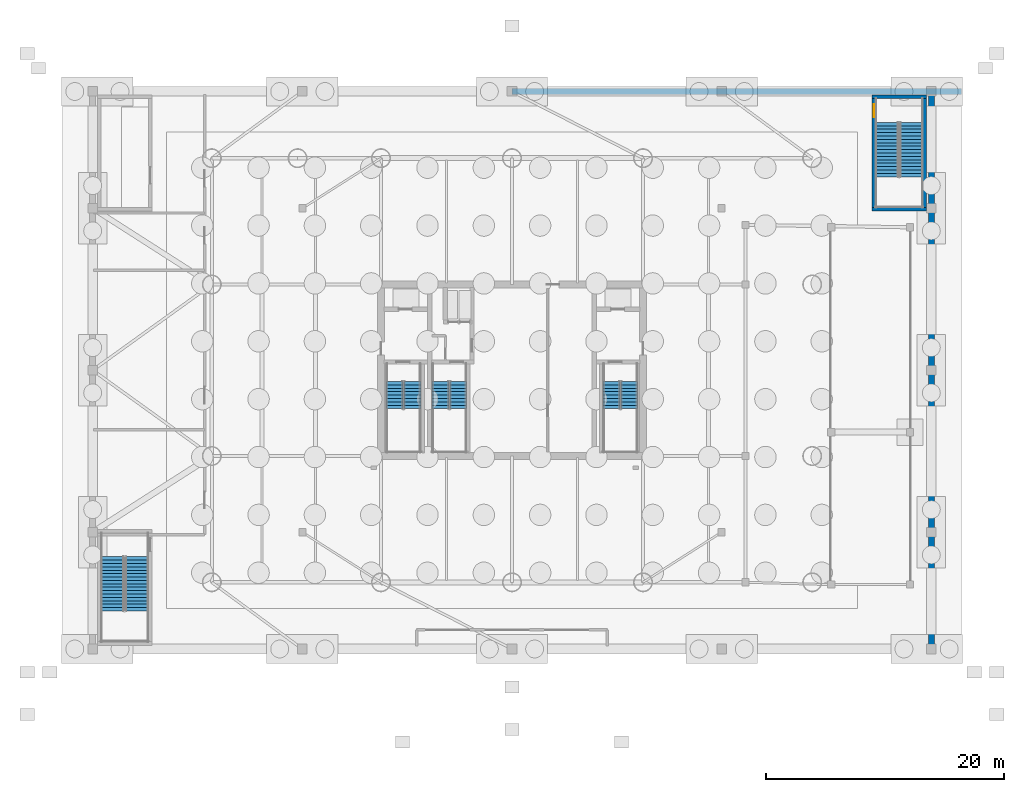
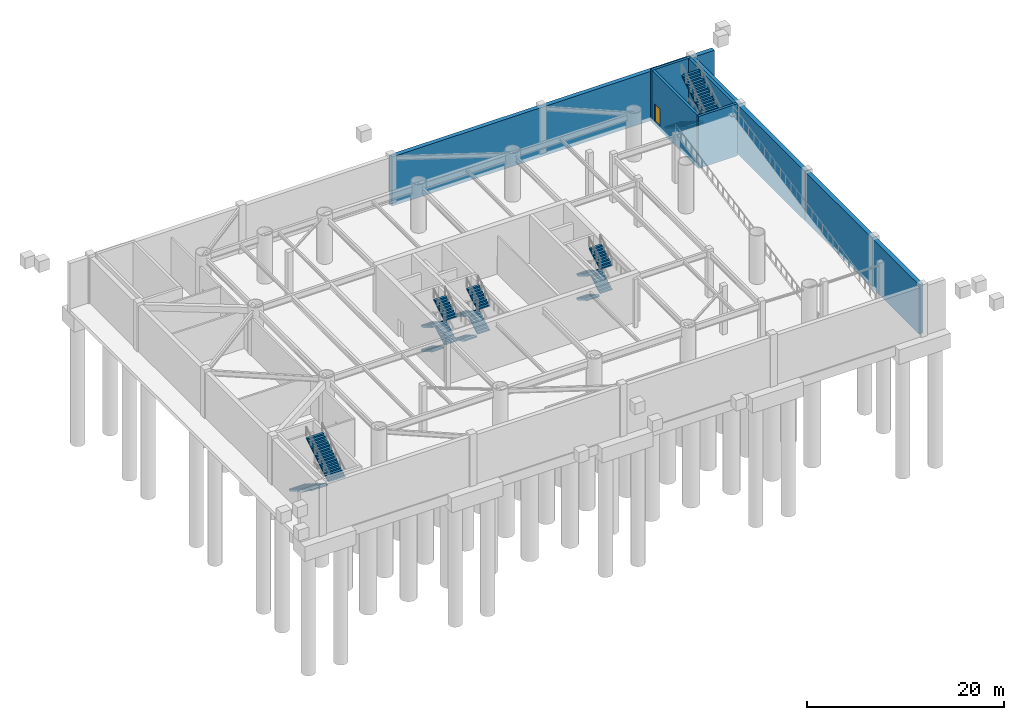
# One storey, part 6 of 12: 16 stair flights, 7 walls, 1 door, 1 opening, 5 elements without a shape of their own.
"""IFC4 building model written with IfcOpenShell, lengths in metres."""

from ifc_helpers import new_model, si_unit, direction, frame, frame_2d, origin, place, context, subcontext, project, spatial, polyline, rectangle, outline, extrude, material, layer, layer_set, type_object, element, fill, aggregate, save


model = new_model("IFC4")

# Units and contexts
model_context = context("Model", 3, precision=1e-05, world=origin(), true_north=direction((0.0, 1.0)))
body_context = subcontext(model_context, "Body", "Model", "MODEL_VIEW")
ifc_project = project(units=[si_unit("LENGTHUNIT", "METRE"), si_unit("AREAUNIT", "SQUARE_METRE"), si_unit("VOLUMEUNIT", "CUBIC_METRE"), si_unit("PLANEANGLEUNIT", "RADIAN"), si_unit("MASSUNIT", "GRAM", prefix="KILO")], contexts=[model_context])

# Site, building, storey
site_placement = place(None, origin())
site = spatial("IfcSite", under=ifc_project, at=site_placement, CompositionType="ELEMENT")
building_placement = place(site_placement, origin())
building = spatial("IfcBuilding", under=site, at=building_placement, Name="Bramvorn Convention Spire", CompositionType="ELEMENT")
storey_placement = place(building_placement, frame((0.0, 0.0, -6.0)))
storey = spatial("IfcBuildingStorey", under=building, at=storey_placement, Name="B1", CompositionType="ELEMENT", Elevation=-6.0)

# Walls
ifc_material_1 = material(Name="Concrete C60/70", Category="concrete")
ifc_layer_1 = layer(ifc_material_1, 0.5)
ifc_layer_set_1 = layer_set([ifc_layer_1], Name="Concrete C60/70 - WL-BSMT-RET-500")
wall_type_1 = type_object("IfcWallType", Name="WL-BSMT-RET-500", PredefinedType="USERDEFINED", material=ifc_layer_set_1)
wall_1_placement = place(storey_placement, frame((38.0, 49.39990234375, -0.449951171875), z_axis=(0.0, 0.0, 1.0), x_axis=(1.0, 0.0, 0.0)))
element("IfcWall", 1, at=wall_1_placement, inside=storey, type_object=wall_type_1, Name="B1 basement retaining wall N2", ObjectType="RETAINING WALL", PredefinedType="USERDEFINED", context=body_context, shape_type="SweptSolid", body=[
    extrude(rectangle(XDim=37.75, YDim=0.5, at=frame_2d((18.875, 0.0))), origin(), (0.0, 0.0, 1.0), 6.099853515625),
])
for number, where, z_axis, x_axis, name in (
    (2, (73.199951171875, 2.85009765625, -0.449951171875), (0.0, 0.0, 1.0), (0.0, 1.0, 0.0), "B1 basement retaining wall E1"),
    (3, (73.199951171875, 26.0, -0.449951171875), (0.0, 0.0, 1.0), (0.0, 1.0, 0.0), "B1 basement retaining wall E2"),
):
    element("IfcWall", number, at=place(storey_placement, frame(where, z_axis=z_axis, x_axis=x_axis)), inside=storey, type_object=wall_type_1, Name=name, ObjectType="RETAINING WALL", PredefinedType="USERDEFINED", context=body_context, shape_type="SweptSolid", body=[
        extrude(rectangle(XDim=23.14990234375, YDim=0.5, at=frame_2d((11.574951171875, 0.0))), origin(), (0.0, 0.0, 1.0), 6.099853515625),
    ])
ifc_material_2 = material(Name="Concrete C50/60", Category="concrete")
ifc_layer_2 = layer(ifc_material_2, 0.300048828125)
ifc_layer_set_2 = layer_set([ifc_layer_2], Name="Concrete C50/60 - WL-POD-STAIR-300")
wall_type_2 = type_object("IfcWallType", Name="WL-POD-STAIR-300", PredefinedType="SHEAR", material=ifc_layer_set_2)
for number, where, z_axis, x_axis, name in (
    (4, (68.22998046875, 39.510009765625, -0.449951171875), (0.0, 0.0, 1.0), (1.0, 0.0, 0.0), "B1 ST5 south shaft wall"),
    (5, (68.22998046875, 48.93994140625, -0.449951171875), (0.0, 0.0, 1.0), (1.0, 0.0, 0.0), "B1 ST5 north shaft wall"),
):
    element("IfcWall", number, at=place(storey_placement, frame(where, z_axis=z_axis, x_axis=x_axis)), inside=storey, type_object=wall_type_2, Name=name, PredefinedType="SHEAR", context=body_context, shape_type="SweptSolid", body=[
        extrude(rectangle(XDim=4.56005859375, YDim=0.300048828125, at=frame_2d((2.280029296875, 0.0))), origin(), (0.0, 0.0, 1.0), 6.449951171875),
    ])

# Wall, opening, door
wall_2_placement = place(storey_placement, frame((68.3798828125, 39.659912109375, -0.449951171875), z_axis=(0.0, 0.0, 1.0), x_axis=(0.0, 1.0, 0.0)))
wall_2 = element("IfcWall", 6, at=wall_2_placement, inside=storey, type_object=wall_type_2, Name="B1 ST5 west shaft wall", PredefinedType="SHEAR", context=body_context, shape_type="SweptSolid", body=[
    extrude(rectangle(XDim=9.130126953125, YDim=0.300048828125, at=frame_2d((4.56494140625, 0.0))), origin(), (0.0, 0.0, 1.0), 6.449951171875),
])
opening_placement = place(wall_2_placement, frame((7.580078125, 0.0, 0.449951171875)))
opening = element("IfcOpeningElement", 7, at=opening_placement, cuts=wall_2, Name="Opening DS-110", PredefinedType="OPENING", context=body_context, shape_type="SweptSolid", body=[
    extrude(rectangle(XDim=1.10009765625, YDim=2.14990234375, at=frame_2d((0.550048828125, 1.074951171875))), frame((0.0, 0.159912109375, 0.0), z_axis=(0.0, -1.0, 0.0), x_axis=(1.0, 0.0, 0.0)), (0.0, 0.0, 1.0), 0.320068359375),
])
ifc_material_3 = material(Name="Fire-Rated Hollow Steel Stairwell Door", Category="steel")
door_type = type_object("IfcDoorType", Name="DR-STAIR-1100", OperationType="NOTDEFINED", PredefinedType="DOOR", material=ifc_material_3)
door_placement = place(opening_placement, origin())
door = element("IfcDoor", 8, at=door_placement, inside=storey, type_object=door_type, Name="B1 ST5 exit stairwell door", OperationType="SINGLE_SWING_LEFT", OverallHeight=2.14990234375, OverallWidth=1.10009765625, PredefinedType="DOOR", context=body_context, shape_type="SweptSolid", body=[
    extrude(rectangle(XDim=1.10009765625, YDim=2.14990234375, at=frame_2d((0.550048828125, 1.074951171875))), frame((0.0, 0.02490234375, 0.0), z_axis=(0.0, -1.0, 0.0), x_axis=(1.0, 0.0, 0.0)), (0.0, 0.0, 1.0), 0.050048828125),
])
fill(opening, door)

# Wall
wall_3_placement = place(storey_placement, frame((72.639892578125, 48.7900390625, -0.449951171875), z_axis=(0.0, 0.0, 1.0), x_axis=(0.0, -1.0, 0.0)))
element("IfcWall", 9, at=wall_3_placement, inside=storey, type_object=wall_type_2, Name="B1 ST5 east shaft wall", PredefinedType="SHEAR", context=body_context, shape_type="SweptSolid", body=[
    extrude(rectangle(XDim=9.130126953125, YDim=0.300048828125, at=frame_2d((4.56494140625, 0.0))), origin(), (0.0, 0.0, 1.0), 6.449951171875),
])

# Stair, stair flights
ifc_material_4 = material(Name="Concrete C40/50 Grand Exit Stair", Category="concrete")
stair_type_1 = type_object("IfcStairType", Name="ST-PODIUM-1950", PredefinedType="HALF_TURN_STAIR", material=ifc_material_4)
stair_1_placement = place(storey_placement, origin())
stair_1 = element("IfcStair", 10, at=stair_1_placement, inside=storey, type_object=stair_type_1, Name="B1 Protected Exit Stair ST4", PredefinedType="HALF_TURN_STAIR")
ifc_material_5 = material(Name="Concrete C40/50 Precast Stair Flight", Category="concrete")
stair_flight_type_1 = type_object("IfcStairFlightType", Name="STF-PODIUM-1950", PredefinedType="STRAIGHT", material=ifc_material_5)
stair_flight_1_placement = place(storey_placement, frame((4.47509765625, 10.35009765625, 0.0), z_axis=(0.0, 0.0, 1.0), x_axis=(0.0, -1.0, 0.0)))
stair_flight_1 = element("IfcStairFlight", 11, at=stair_flight_1_placement, type_object=stair_flight_type_1, Name="ST4 flight 1", NumberOfRisers=17, NumberOfTreads=16, PredefinedType="STRAIGHT", RiserHeight=0.176470588, TreadLength=0.285, context=body_context, shape_type="SweptSolid", body=[
    extrude(outline(polyline([(0.0, 0.0), (0.0, 0.176513671875), (0.284912109375, 0.176513671875), (0.284912109375, 0.35302734375), (0.570068359375, 0.35302734375), (0.570068359375, 0.529296875), (0.85498046875, 0.529296875), (0.85498046875, 0.705810546875), (1.139892578125, 0.705810546875), (1.139892578125, 0.88232421875), (1.425048828125, 0.88232421875), (1.425048828125, 1.058837890625), (1.7099609375, 1.058837890625), (1.7099609375, 1.2353515625), (1.9951171875, 1.2353515625), (1.9951171875, 1.411865234375), (2.280029296875, 1.411865234375), (2.280029296875, 1.588134765625), (2.56494140625, 1.588134765625), (2.56494140625, 1.7646484375), (2.85009765625, 1.7646484375), (2.85009765625, 1.941162109375), (3.135009765625, 1.941162109375), (3.135009765625, 2.11767578125), (3.419921875, 2.11767578125), (3.419921875, 2.294189453125), (3.705078125, 2.294189453125), (3.705078125, 2.470703125), (3.989990234375, 2.470703125), (3.989990234375, 2.64697265625), (4.27490234375, 2.64697265625), (4.27490234375, 2.823486328125), (4.56005859375, 2.823486328125), (4.56005859375, 3.0), (4.56005859375, 2.647216796875), (0.28466796875, 0.0), (0.0, 0.0)])), frame((0.0, 0.97509765625, 0.0), z_axis=(0.0, -1.0, 0.0), x_axis=(1.0, 0.0, 0.0)), (0.0, 0.0, 1.0), 1.949951171875),
])
stair_flight_2_placement = place(storey_placement, frame((6.5048828125, 5.7900390625, 3.0), z_axis=(0.0, 0.0, 1.0), x_axis=(0.0, 1.0, 0.0)))
stair_flight_2 = element("IfcStairFlight", 12, at=stair_flight_2_placement, type_object=stair_flight_type_1, Name="ST4 flight 2", NumberOfRisers=17, NumberOfTreads=16, PredefinedType="STRAIGHT", RiserHeight=0.176470588, TreadLength=0.285, context=body_context, shape_type="SweptSolid", body=[
    extrude(outline(polyline([(0.0, 0.0), (0.0, 0.176513671875), (0.284912109375, 0.176513671875), (0.284912109375, 0.35302734375), (0.570068359375, 0.35302734375), (0.570068359375, 0.529296875), (0.85498046875, 0.529296875), (0.85498046875, 0.705810546875), (1.139892578125, 0.705810546875), (1.139892578125, 0.88232421875), (1.425048828125, 0.88232421875), (1.425048828125, 1.058837890625), (1.7099609375, 1.058837890625), (1.7099609375, 1.2353515625), (1.9951171875, 1.2353515625), (1.9951171875, 1.411865234375), (2.280029296875, 1.411865234375), (2.280029296875, 1.588134765625), (2.56494140625, 1.588134765625), (2.56494140625, 1.7646484375), (2.85009765625, 1.7646484375), (2.85009765625, 1.941162109375), (3.135009765625, 1.941162109375), (3.135009765625, 2.11767578125), (3.419921875, 2.11767578125), (3.419921875, 2.294189453125), (3.705078125, 2.294189453125), (3.705078125, 2.470703125), (3.989990234375, 2.470703125), (3.989990234375, 2.64697265625), (4.27490234375, 2.64697265625), (4.27490234375, 2.823486328125), (4.56005859375, 2.823486328125), (4.56005859375, 3.0), (4.56005859375, 2.647216796875), (0.28466796875, 0.0), (0.0, 0.0)])), frame((0.0, 0.97509765625, 0.0), z_axis=(0.0, -1.0, 0.0), x_axis=(1.0, 0.0, 0.0)), (0.0, 0.0, 1.0), 1.949951171875),
])
aggregate(stair_1, [stair_flight_1, stair_flight_2])

stair_2_placement = place(storey_placement, origin())
stair_2 = element("IfcStair", 13, at=stair_2_placement, inside=storey, type_object=stair_type_1, Name="B1 Protected Exit Stair ST5", PredefinedType="HALF_TURN_STAIR")
stair_flight_3_placement = place(storey_placement, frame((69.4951171875, 46.800048828125, 0.0), z_axis=(0.0, 0.0, 1.0), x_axis=(0.0, -1.0, 0.0)))
stair_flight_3 = element("IfcStairFlight", 14, at=stair_flight_3_placement, type_object=stair_flight_type_1, Name="ST5 flight 1", NumberOfRisers=17, NumberOfTreads=16, PredefinedType="STRAIGHT", RiserHeight=0.176470588, TreadLength=0.285, context=body_context, shape_type="SweptSolid", body=[
    extrude(outline(polyline([(0.0, 0.0), (0.0, 0.176513671875), (0.284912109375, 0.176513671875), (0.284912109375, 0.35302734375), (0.570068359375, 0.35302734375), (0.570068359375, 0.529296875), (0.85498046875, 0.529296875), (0.85498046875, 0.705810546875), (1.139892578125, 0.705810546875), (1.139892578125, 0.88232421875), (1.425048828125, 0.88232421875), (1.425048828125, 1.058837890625), (1.7099609375, 1.058837890625), (1.7099609375, 1.2353515625), (1.9951171875, 1.2353515625), (1.9951171875, 1.411865234375), (2.280029296875, 1.411865234375), (2.280029296875, 1.588134765625), (2.56494140625, 1.588134765625), (2.56494140625, 1.7646484375), (2.85009765625, 1.7646484375), (2.85009765625, 1.941162109375), (3.135009765625, 1.941162109375), (3.135009765625, 2.11767578125), (3.419921875, 2.11767578125), (3.419921875, 2.294189453125), (3.705078125, 2.294189453125), (3.705078125, 2.470703125), (3.989990234375, 2.470703125), (3.989990234375, 2.64697265625), (4.27490234375, 2.64697265625), (4.27490234375, 2.823486328125), (4.56005859375, 2.823486328125), (4.56005859375, 3.0), (4.56005859375, 2.647216796875), (0.28466796875, 0.0), (0.0, 0.0)])), frame((0.0, 0.97509765625, 0.0), z_axis=(0.0, -1.0, 0.0), x_axis=(1.0, 0.0, 0.0)), (0.0, 0.0, 1.0), 1.949951171875),
])
stair_flight_4_placement = place(storey_placement, frame((71.52490234375, 42.239990234375, 3.0), z_axis=(0.0, 0.0, 1.0), x_axis=(0.0, 1.0, 0.0)))
stair_flight_4 = element("IfcStairFlight", 15, at=stair_flight_4_placement, type_object=stair_flight_type_1, Name="ST5 flight 2", NumberOfRisers=17, NumberOfTreads=16, PredefinedType="STRAIGHT", RiserHeight=0.176470588, TreadLength=0.285, context=body_context, shape_type="SweptSolid", body=[
    extrude(outline(polyline([(0.0, 0.0), (0.0, 0.176513671875), (0.284912109375, 0.176513671875), (0.284912109375, 0.35302734375), (0.570068359375, 0.35302734375), (0.570068359375, 0.529296875), (0.85498046875, 0.529296875), (0.85498046875, 0.705810546875), (1.139892578125, 0.705810546875), (1.139892578125, 0.88232421875), (1.425048828125, 0.88232421875), (1.425048828125, 1.058837890625), (1.7099609375, 1.058837890625), (1.7099609375, 1.2353515625), (1.9951171875, 1.2353515625), (1.9951171875, 1.411865234375), (2.280029296875, 1.411865234375), (2.280029296875, 1.588134765625), (2.56494140625, 1.588134765625), (2.56494140625, 1.7646484375), (2.85009765625, 1.7646484375), (2.85009765625, 1.941162109375), (3.135009765625, 1.941162109375), (3.135009765625, 2.11767578125), (3.419921875, 2.11767578125), (3.419921875, 2.294189453125), (3.705078125, 2.294189453125), (3.705078125, 2.470703125), (3.989990234375, 2.470703125), (3.989990234375, 2.64697265625), (4.27490234375, 2.64697265625), (4.27490234375, 2.823486328125), (4.56005859375, 2.823486328125), (4.56005859375, 3.0), (4.56005859375, 2.647216796875), (0.28466796875, 0.0), (0.0, 0.0)])), frame((0.0, 0.97509765625, 0.0), z_axis=(0.0, -1.0, 0.0), x_axis=(1.0, 0.0, 0.0)), (0.0, 0.0, 1.0), 1.949951171875),
])
aggregate(stair_2, [stair_flight_3, stair_flight_4])

ifc_material_6 = material(Name="Concrete C40/50 Precast Stair", Category="concrete")
stair_type_2 = type_object("IfcStairType", Name="ST-TOWER-1550", PredefinedType="HALF_TURN_STAIR", material=ifc_material_6)
stair_3_placement = place(storey_placement, origin())
stair_3 = element("IfcStair", 16, at=stair_3_placement, inside=storey, type_object=stair_type_2, Name="B1 Protected Exit Stair ST1", PredefinedType="HALF_TURN_STAIR")
stair_flight_type_2 = type_object("IfcStairFlightType", Name="STF-TOWER-1550", PredefinedType="STRAIGHT", material=ifc_material_5)
stair_flight_5_placement = place(storey_placement, frame((28.155029296875, 25.050048828125, 0.0), z_axis=(0.0, 0.0, 1.0), x_axis=(0.0, -1.0, 0.0)))
stair_flight_5 = element("IfcStairFlight", 17, at=stair_flight_5_placement, type_object=stair_flight_type_2, Name="ST1 flight 1", NumberOfRisers=9, NumberOfTreads=8, PredefinedType="STRAIGHT", RiserHeight=0.166666667, TreadLength=0.285, context=body_context, shape_type="SweptSolid", body=[
    extrude(outline(polyline([(0.0, 0.0), (0.0, 0.166748046875), (0.284912109375, 0.166748046875), (0.284912109375, 0.333251953125), (0.570068359375, 0.333251953125), (0.570068359375, 0.5), (0.85498046875, 0.5), (0.85498046875, 0.666748046875), (1.139892578125, 0.666748046875), (1.139892578125, 0.833251953125), (1.425048828125, 0.833251953125), (1.425048828125, 1.0), (1.7099609375, 1.0), (1.7099609375, 1.166748046875), (1.9951171875, 1.166748046875), (1.9951171875, 1.333251953125), (2.280029296875, 1.333251953125), (2.280029296875, 1.5), (2.280029296875, 1.15966796875), (0.296875, 0.0), (0.0, 0.0)])), frame((0.0, 0.705078125, 0.0), z_axis=(0.0, -1.0, 0.0), x_axis=(1.0, 0.0, 0.0)), (0.0, 0.0, 1.0), 1.409912109375),
])
stair_flight_6_placement = place(storey_placement, frame((29.64501953125, 22.77001953125, 1.5), z_axis=(0.0, 0.0, 1.0), x_axis=(0.0, 1.0, 0.0)))
stair_flight_6 = element("IfcStairFlight", 18, at=stair_flight_6_placement, type_object=stair_flight_type_2, Name="ST1 flight 2", NumberOfRisers=9, NumberOfTreads=8, PredefinedType="STRAIGHT", RiserHeight=0.166666667, TreadLength=0.285, context=body_context, shape_type="SweptSolid", body=[
    extrude(outline(polyline([(0.0, 0.0), (0.0, 0.166748046875), (0.284912109375, 0.166748046875), (0.284912109375, 0.333251953125), (0.570068359375, 0.333251953125), (0.570068359375, 0.5), (0.85498046875, 0.5), (0.85498046875, 0.666748046875), (1.139892578125, 0.666748046875), (1.139892578125, 0.833251953125), (1.425048828125, 0.833251953125), (1.425048828125, 1.0), (1.7099609375, 1.0), (1.7099609375, 1.166748046875), (1.9951171875, 1.166748046875), (1.9951171875, 1.333251953125), (2.280029296875, 1.333251953125), (2.280029296875, 1.5), (2.280029296875, 1.15966796875), (0.296875, 0.0), (0.0, 0.0)])), frame((0.0, 0.705078125, 0.0), z_axis=(0.0, -1.0, 0.0), x_axis=(1.0, 0.0, 0.0)), (0.0, 0.0, 1.0), 1.409912109375),
])
stair_flight_7_placement = place(storey_placement, frame((28.155029296875, 25.050048828125, 3.0), z_axis=(0.0, 0.0, 1.0), x_axis=(0.0, -1.0, 0.0)))
stair_flight_7 = element("IfcStairFlight", 19, at=stair_flight_7_placement, type_object=stair_flight_type_2, Name="ST1 flight 3", NumberOfRisers=9, NumberOfTreads=8, PredefinedType="STRAIGHT", RiserHeight=0.166666667, TreadLength=0.285, context=body_context, shape_type="SweptSolid", body=[
    extrude(outline(polyline([(0.0, 0.0), (0.0, 0.166748046875), (0.284912109375, 0.166748046875), (0.284912109375, 0.333251953125), (0.570068359375, 0.333251953125), (0.570068359375, 0.5), (0.85498046875, 0.5), (0.85498046875, 0.666748046875), (1.139892578125, 0.666748046875), (1.139892578125, 0.833251953125), (1.425048828125, 0.833251953125), (1.425048828125, 1.0), (1.7099609375, 1.0), (1.7099609375, 1.166748046875), (1.9951171875, 1.166748046875), (1.9951171875, 1.333251953125), (2.280029296875, 1.333251953125), (2.280029296875, 1.5), (2.280029296875, 1.15966796875), (0.296875, 0.0), (0.0, 0.0)])), frame((0.0, 0.705078125, 0.0), z_axis=(0.0, -1.0, 0.0), x_axis=(1.0, 0.0, 0.0)), (0.0, 0.0, 1.0), 1.409912109375),
])
stair_flight_8_placement = place(storey_placement, frame((29.64501953125, 22.77001953125, 4.5), z_axis=(0.0, 0.0, 1.0), x_axis=(0.0, 1.0, 0.0)))
stair_flight_8 = element("IfcStairFlight", 20, at=stair_flight_8_placement, type_object=stair_flight_type_2, Name="ST1 flight 4", NumberOfRisers=9, NumberOfTreads=8, PredefinedType="STRAIGHT", RiserHeight=0.166666667, TreadLength=0.285, context=body_context, shape_type="SweptSolid", body=[
    extrude(outline(polyline([(0.0, 0.0), (0.0, 0.166748046875), (0.284912109375, 0.166748046875), (0.284912109375, 0.333251953125), (0.570068359375, 0.333251953125), (0.570068359375, 0.5), (0.85498046875, 0.5), (0.85498046875, 0.666748046875), (1.139892578125, 0.666748046875), (1.139892578125, 0.833251953125), (1.425048828125, 0.833251953125), (1.425048828125, 1.0), (1.7099609375, 1.0), (1.7099609375, 1.166748046875), (1.9951171875, 1.166748046875), (1.9951171875, 1.333251953125), (2.280029296875, 1.333251953125), (2.280029296875, 1.5), (2.280029296875, 1.15966796875), (0.296875, 0.0), (0.0, 0.0)])), frame((0.0, 0.705078125, 0.0), z_axis=(0.0, -1.0, 0.0), x_axis=(1.0, 0.0, 0.0)), (0.0, 0.0, 1.0), 1.409912109375),
])
aggregate(stair_3, [stair_flight_5, stair_flight_6, stair_flight_7, stair_flight_8])

stair_4_placement = place(storey_placement, origin())
stair_4 = element("IfcStair", 21, at=stair_4_placement, inside=storey, type_object=stair_type_2, Name="B1 Protected Exit Stair ST2", PredefinedType="HALF_TURN_STAIR")
stair_flight_9_placement = place(storey_placement, frame((46.35498046875, 25.050048828125, 0.0), z_axis=(0.0, 0.0, 1.0), x_axis=(0.0, -1.0, 0.0)))
stair_flight_9 = element("IfcStairFlight", 22, at=stair_flight_9_placement, type_object=stair_flight_type_2, Name="ST2 flight 1", NumberOfRisers=9, NumberOfTreads=8, PredefinedType="STRAIGHT", RiserHeight=0.166666667, TreadLength=0.285, context=body_context, shape_type="SweptSolid", body=[
    extrude(outline(polyline([(0.0, 0.0), (0.0, 0.166748046875), (0.284912109375, 0.166748046875), (0.284912109375, 0.333251953125), (0.570068359375, 0.333251953125), (0.570068359375, 0.5), (0.85498046875, 0.5), (0.85498046875, 0.666748046875), (1.139892578125, 0.666748046875), (1.139892578125, 0.833251953125), (1.425048828125, 0.833251953125), (1.425048828125, 1.0), (1.7099609375, 1.0), (1.7099609375, 1.166748046875), (1.9951171875, 1.166748046875), (1.9951171875, 1.333251953125), (2.280029296875, 1.333251953125), (2.280029296875, 1.5), (2.280029296875, 1.15966796875), (0.296875, 0.0), (0.0, 0.0)])), frame((0.0, 0.705078125, 0.0), z_axis=(0.0, -1.0, 0.0), x_axis=(1.0, 0.0, 0.0)), (0.0, 0.0, 1.0), 1.409912109375),
])
stair_flight_10_placement = place(storey_placement, frame((47.844970703125, 22.77001953125, 1.5), z_axis=(0.0, 0.0, 1.0), x_axis=(0.0, 1.0, 0.0)))
stair_flight_10 = element("IfcStairFlight", 23, at=stair_flight_10_placement, type_object=stair_flight_type_2, Name="ST2 flight 2", NumberOfRisers=9, NumberOfTreads=8, PredefinedType="STRAIGHT", RiserHeight=0.166666667, TreadLength=0.285, context=body_context, shape_type="SweptSolid", body=[
    extrude(outline(polyline([(0.0, 0.0), (0.0, 0.166748046875), (0.284912109375, 0.166748046875), (0.284912109375, 0.333251953125), (0.570068359375, 0.333251953125), (0.570068359375, 0.5), (0.85498046875, 0.5), (0.85498046875, 0.666748046875), (1.139892578125, 0.666748046875), (1.139892578125, 0.833251953125), (1.425048828125, 0.833251953125), (1.425048828125, 1.0), (1.7099609375, 1.0), (1.7099609375, 1.166748046875), (1.9951171875, 1.166748046875), (1.9951171875, 1.333251953125), (2.280029296875, 1.333251953125), (2.280029296875, 1.5), (2.280029296875, 1.15966796875), (0.296875, 0.0), (0.0, 0.0)])), frame((0.0, 0.705078125, 0.0), z_axis=(0.0, -1.0, 0.0), x_axis=(1.0, 0.0, 0.0)), (0.0, 0.0, 1.0), 1.409912109375),
])
stair_flight_11_placement = place(storey_placement, frame((46.35498046875, 25.050048828125, 3.0), z_axis=(0.0, 0.0, 1.0), x_axis=(0.0, -1.0, 0.0)))
stair_flight_11 = element("IfcStairFlight", 24, at=stair_flight_11_placement, type_object=stair_flight_type_2, Name="ST2 flight 3", NumberOfRisers=9, NumberOfTreads=8, PredefinedType="STRAIGHT", RiserHeight=0.166666667, TreadLength=0.285, context=body_context, shape_type="SweptSolid", body=[
    extrude(outline(polyline([(0.0, 0.0), (0.0, 0.166748046875), (0.284912109375, 0.166748046875), (0.284912109375, 0.333251953125), (0.570068359375, 0.333251953125), (0.570068359375, 0.5), (0.85498046875, 0.5), (0.85498046875, 0.666748046875), (1.139892578125, 0.666748046875), (1.139892578125, 0.833251953125), (1.425048828125, 0.833251953125), (1.425048828125, 1.0), (1.7099609375, 1.0), (1.7099609375, 1.166748046875), (1.9951171875, 1.166748046875), (1.9951171875, 1.333251953125), (2.280029296875, 1.333251953125), (2.280029296875, 1.5), (2.280029296875, 1.15966796875), (0.296875, 0.0), (0.0, 0.0)])), frame((0.0, 0.705078125, 0.0), z_axis=(0.0, -1.0, 0.0), x_axis=(1.0, 0.0, 0.0)), (0.0, 0.0, 1.0), 1.409912109375),
])
stair_flight_12_placement = place(storey_placement, frame((47.844970703125, 22.77001953125, 4.5), z_axis=(0.0, 0.0, 1.0), x_axis=(0.0, 1.0, 0.0)))
stair_flight_12 = element("IfcStairFlight", 25, at=stair_flight_12_placement, type_object=stair_flight_type_2, Name="ST2 flight 4", NumberOfRisers=9, NumberOfTreads=8, PredefinedType="STRAIGHT", RiserHeight=0.166666667, TreadLength=0.285, context=body_context, shape_type="SweptSolid", body=[
    extrude(outline(polyline([(0.0, 0.0), (0.0, 0.166748046875), (0.284912109375, 0.166748046875), (0.284912109375, 0.333251953125), (0.570068359375, 0.333251953125), (0.570068359375, 0.5), (0.85498046875, 0.5), (0.85498046875, 0.666748046875), (1.139892578125, 0.666748046875), (1.139892578125, 0.833251953125), (1.425048828125, 0.833251953125), (1.425048828125, 1.0), (1.7099609375, 1.0), (1.7099609375, 1.166748046875), (1.9951171875, 1.166748046875), (1.9951171875, 1.333251953125), (2.280029296875, 1.333251953125), (2.280029296875, 1.5), (2.280029296875, 1.15966796875), (0.296875, 0.0), (0.0, 0.0)])), frame((0.0, 0.705078125, 0.0), z_axis=(0.0, -1.0, 0.0), x_axis=(1.0, 0.0, 0.0)), (0.0, 0.0, 1.0), 1.409912109375),
])
aggregate(stair_4, [stair_flight_9, stair_flight_10, stair_flight_11, stair_flight_12])

stair_5_placement = place(storey_placement, origin())
stair_5 = element("IfcStair", 26, at=stair_5_placement, inside=storey, type_object=stair_type_2, Name="B1 Protected Exit Stair ST3", PredefinedType="HALF_TURN_STAIR")
stair_flight_13_placement = place(storey_placement, frame((32.0048828125, 25.050048828125, 0.0), z_axis=(0.0, 0.0, 1.0), x_axis=(0.0, -1.0, 0.0)))
stair_flight_13 = element("IfcStairFlight", 27, at=stair_flight_13_placement, type_object=stair_flight_type_2, Name="ST3 flight 1", NumberOfRisers=9, NumberOfTreads=8, PredefinedType="STRAIGHT", RiserHeight=0.166666667, TreadLength=0.285, context=body_context, shape_type="SweptSolid", body=[
    extrude(outline(polyline([(0.0, 0.0), (0.0, 0.166748046875), (0.284912109375, 0.166748046875), (0.284912109375, 0.333251953125), (0.570068359375, 0.333251953125), (0.570068359375, 0.5), (0.85498046875, 0.5), (0.85498046875, 0.666748046875), (1.139892578125, 0.666748046875), (1.139892578125, 0.833251953125), (1.425048828125, 0.833251953125), (1.425048828125, 1.0), (1.7099609375, 1.0), (1.7099609375, 1.166748046875), (1.9951171875, 1.166748046875), (1.9951171875, 1.333251953125), (2.280029296875, 1.333251953125), (2.280029296875, 1.5), (2.280029296875, 1.15966796875), (0.296875, 0.0), (0.0, 0.0)])), frame((0.0, 0.705078125, 0.0), z_axis=(0.0, -1.0, 0.0), x_axis=(1.0, 0.0, 0.0)), (0.0, 0.0, 1.0), 1.409912109375),
])
stair_flight_14_placement = place(storey_placement, frame((33.4951171875, 22.77001953125, 1.5), z_axis=(0.0, 0.0, 1.0), x_axis=(0.0, 1.0, 0.0)))
stair_flight_14 = element("IfcStairFlight", 28, at=stair_flight_14_placement, type_object=stair_flight_type_2, Name="ST3 flight 2", NumberOfRisers=9, NumberOfTreads=8, PredefinedType="STRAIGHT", RiserHeight=0.166666667, TreadLength=0.285, context=body_context, shape_type="SweptSolid", body=[
    extrude(outline(polyline([(0.0, 0.0), (0.0, 0.166748046875), (0.284912109375, 0.166748046875), (0.284912109375, 0.333251953125), (0.570068359375, 0.333251953125), (0.570068359375, 0.5), (0.85498046875, 0.5), (0.85498046875, 0.666748046875), (1.139892578125, 0.666748046875), (1.139892578125, 0.833251953125), (1.425048828125, 0.833251953125), (1.425048828125, 1.0), (1.7099609375, 1.0), (1.7099609375, 1.166748046875), (1.9951171875, 1.166748046875), (1.9951171875, 1.333251953125), (2.280029296875, 1.333251953125), (2.280029296875, 1.5), (2.280029296875, 1.15966796875), (0.296875, 0.0), (0.0, 0.0)])), frame((0.0, 0.705078125, 0.0), z_axis=(0.0, -1.0, 0.0), x_axis=(1.0, 0.0, 0.0)), (0.0, 0.0, 1.0), 1.409912109375),
])
stair_flight_15_placement = place(storey_placement, frame((32.0048828125, 25.050048828125, 3.0), z_axis=(0.0, 0.0, 1.0), x_axis=(0.0, -1.0, 0.0)))
stair_flight_15 = element("IfcStairFlight", 29, at=stair_flight_15_placement, type_object=stair_flight_type_2, Name="ST3 flight 3", NumberOfRisers=9, NumberOfTreads=8, PredefinedType="STRAIGHT", RiserHeight=0.166666667, TreadLength=0.285, context=body_context, shape_type="SweptSolid", body=[
    extrude(outline(polyline([(0.0, 0.0), (0.0, 0.166748046875), (0.284912109375, 0.166748046875), (0.284912109375, 0.333251953125), (0.570068359375, 0.333251953125), (0.570068359375, 0.5), (0.85498046875, 0.5), (0.85498046875, 0.666748046875), (1.139892578125, 0.666748046875), (1.139892578125, 0.833251953125), (1.425048828125, 0.833251953125), (1.425048828125, 1.0), (1.7099609375, 1.0), (1.7099609375, 1.166748046875), (1.9951171875, 1.166748046875), (1.9951171875, 1.333251953125), (2.280029296875, 1.333251953125), (2.280029296875, 1.5), (2.280029296875, 1.15966796875), (0.296875, 0.0), (0.0, 0.0)])), frame((0.0, 0.705078125, 0.0), z_axis=(0.0, -1.0, 0.0), x_axis=(1.0, 0.0, 0.0)), (0.0, 0.0, 1.0), 1.409912109375),
])
stair_flight_16_placement = place(storey_placement, frame((33.4951171875, 22.77001953125, 4.5), z_axis=(0.0, 0.0, 1.0), x_axis=(0.0, 1.0, 0.0)))
stair_flight_16 = element("IfcStairFlight", 30, at=stair_flight_16_placement, type_object=stair_flight_type_2, Name="ST3 flight 4", NumberOfRisers=9, NumberOfTreads=8, PredefinedType="STRAIGHT", RiserHeight=0.166666667, TreadLength=0.285, context=body_context, shape_type="SweptSolid", body=[
    extrude(outline(polyline([(0.0, 0.0), (0.0, 0.166748046875), (0.284912109375, 0.166748046875), (0.284912109375, 0.333251953125), (0.570068359375, 0.333251953125), (0.570068359375, 0.5), (0.85498046875, 0.5), (0.85498046875, 0.666748046875), (1.139892578125, 0.666748046875), (1.139892578125, 0.833251953125), (1.425048828125, 0.833251953125), (1.425048828125, 1.0), (1.7099609375, 1.0), (1.7099609375, 1.166748046875), (1.9951171875, 1.166748046875), (1.9951171875, 1.333251953125), (2.280029296875, 1.333251953125), (2.280029296875, 1.5), (2.280029296875, 1.15966796875), (0.296875, 0.0), (0.0, 0.0)])), frame((0.0, 0.705078125, 0.0), z_axis=(0.0, -1.0, 0.0), x_axis=(1.0, 0.0, 0.0)), (0.0, 0.0, 1.0), 1.409912109375),
])
aggregate(stair_5, [stair_flight_13, stair_flight_14, stair_flight_15, stair_flight_16])

save(model, "model.ifc")
